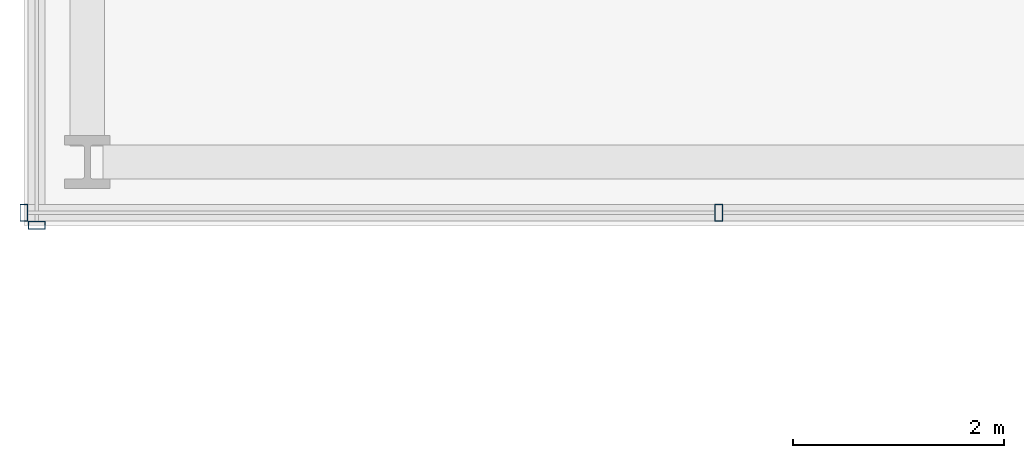
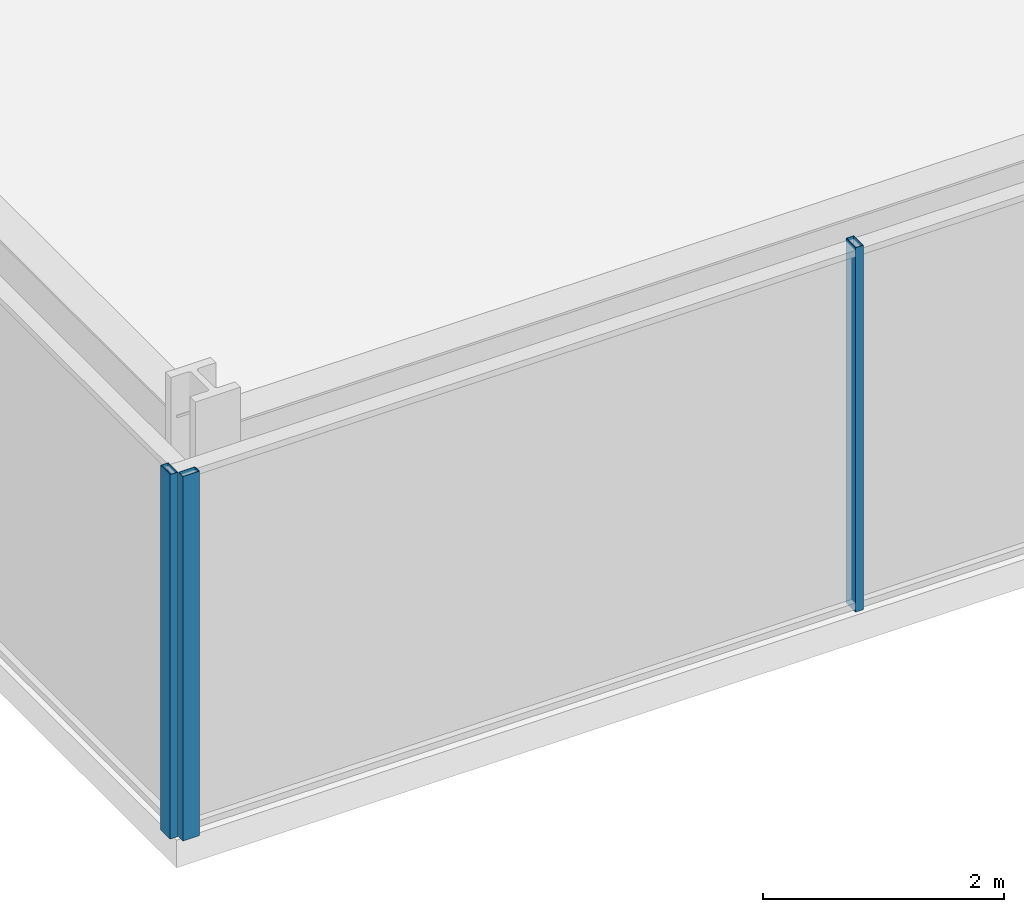
# One storey, part 2 of 39: 3 members, 2 elements without a shape of their own.
"""IFC4 building model written with IfcOpenShell, lengths in metres."""

from ifc_helpers import new_model, si_unit, direction, frame, origin, origin_2d, place, context, subcontext, project, spatial, hollow_rectangle, extrude, material, material_profile, profile_set, type_object, element, aggregate, save


model = new_model("IFC4")

# Units and contexts
model_context = context("Model", 3, precision=1e-05, world=origin(), true_north=direction((0.0, 1.0)))
body_context = subcontext(model_context, "Body", "Model", "MODEL_VIEW")
ifc_project = project(units=[si_unit("LENGTHUNIT", "METRE"), si_unit("AREAUNIT", "SQUARE_METRE"), si_unit("VOLUMEUNIT", "CUBIC_METRE"), si_unit("PLANEANGLEUNIT", "RADIAN"), si_unit("MASSUNIT", "GRAM", prefix="KILO")], contexts=[model_context])

# Site, building, storey
site_placement = place(None, origin())
site = spatial("IfcSite", under=ifc_project, at=site_placement, CompositionType="ELEMENT")
building_placement = place(site_placement, origin())
building = spatial("IfcBuilding", under=site, at=building_placement, Name="Kolvaren Belvedere", CompositionType="ELEMENT")
storey_placement = place(building_placement, frame((0.0, 0.0, 15.199951171875)))
storey = spatial("IfcBuildingStorey", under=building, at=storey_placement, Name="L04", CompositionType="ELEMENT", Elevation=15.199951171875)

# Curtain wall, members
ifc_material_1 = material(Name="Anodised pale-metal aluminium AA 6063-T6", Category="aluminium")
curtain_wall_type = type_object("IfcCurtainWallType", Name="CW-POD-A", PredefinedType="NOTDEFINED", material=ifc_material_1)
curtain_wall_1_placement = place(storey_placement, origin())
curtain_wall_1 = element("IfcCurtainWall", 1, at=curtain_wall_1_placement, inside=storey, type_object=curtain_wall_type, Name="L04 Unitised Curtain Wall FCW-L04-S2", PredefinedType="NOTDEFINED")
ifc_material_2 = material(Name="Anodised pale-metal aluminium AA 6063-T6", Category="aluminium")
ifc_material_profile = material_profile(ifc_material_2, hollow_rectangle(XDim=0.074951171875, YDim=0.159912109375, WallThickness=0.00439453125, at=origin_2d()), Name="ALU-MUL-160X75")
ifc_profile_set = profile_set([ifc_material_profile], Name="Anodised pale-metal aluminium AA 6063-T6")
member_type = type_object("IfcMemberType", Name="CW-MUL-160", PredefinedType="MULLION", material=ifc_profile_set)
member_1_placement = place(storey_placement, frame((-21.419921875, -28.280029296875, 0.0), z_axis=(0.0, 0.0, 1.0), x_axis=(1.0, 0.0, 0.0)))
member_1 = element("IfcMember", 2, at=member_1_placement, type_object=member_type, Name="FCW-L04-S2 Unitised Mullion 4", PredefinedType="MULLION", context=body_context, shape_type="SweptSolid", body=[
    extrude(hollow_rectangle(XDim=0.074951171875, YDim=0.159912109375, WallThickness=0.00439453125, at=origin_2d()), origin(), (0.0, 0.0, 1.0), 3.699951171875),
])
member_2_placement = place(storey_placement, frame((-28.0, -28.280029296875, 0.0), z_axis=(0.0, 0.0, 1.0), x_axis=(1.0, 0.0, 0.0)))
member_2 = element("IfcMember", 3, at=member_2_placement, type_object=member_type, Name="FCW-L04-S2 Unitised Mullion 5", PredefinedType="MULLION", context=body_context, shape_type="SweptSolid", body=[
    extrude(hollow_rectangle(XDim=0.074951171875, YDim=0.159912109375, WallThickness=0.00439453125, at=origin_2d()), origin(), (0.0, 0.0, 1.0), 3.699951171875),
])
aggregate(curtain_wall_1, [member_1, member_2])

# Curtain wall, member
curtain_wall_2_placement = place(storey_placement, origin())
curtain_wall_2 = element("IfcCurtainWall", 4, at=curtain_wall_2_placement, inside=storey, type_object=curtain_wall_type, Name="L04 Unitised Curtain Wall FCW-L04-W", PredefinedType="NOTDEFINED")
member_3_placement = place(storey_placement, frame((-27.8798828125, -28.39990234375, 0.0), z_axis=(0.0, 0.0, 1.0), x_axis=(0.0, 1.0, 0.0)))
member_3 = element("IfcMember", 5, at=member_3_placement, type_object=member_type, Name="FCW-L04-W Unitised Mullion 1", PredefinedType="MULLION", context=body_context, shape_type="SweptSolid", body=[
    extrude(hollow_rectangle(XDim=0.074951171875, YDim=0.159912109375, WallThickness=0.00439453125, at=origin_2d()), origin(), (0.0, 0.0, 1.0), 3.699951171875),
])
aggregate(curtain_wall_2, [member_3])

save(model, "model.ifc")
